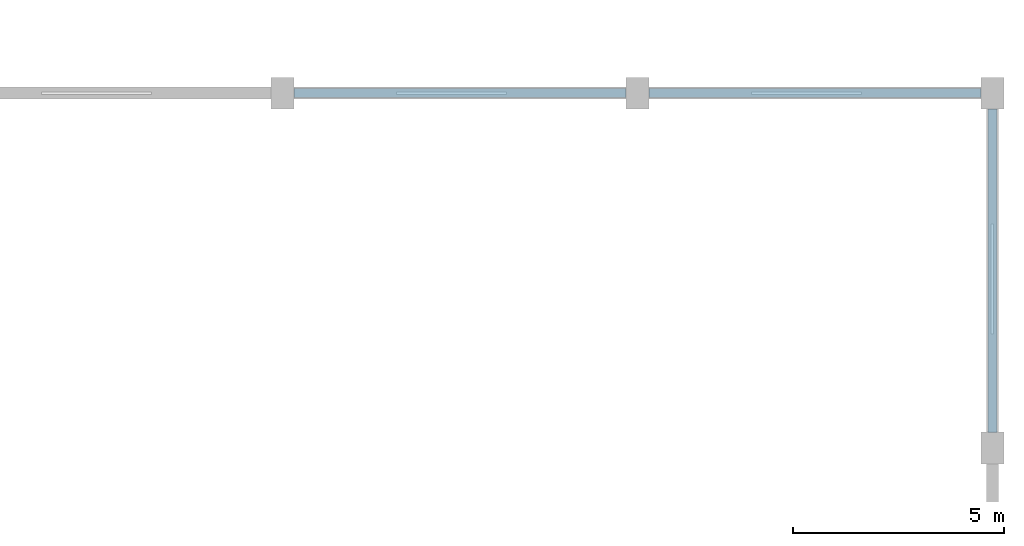
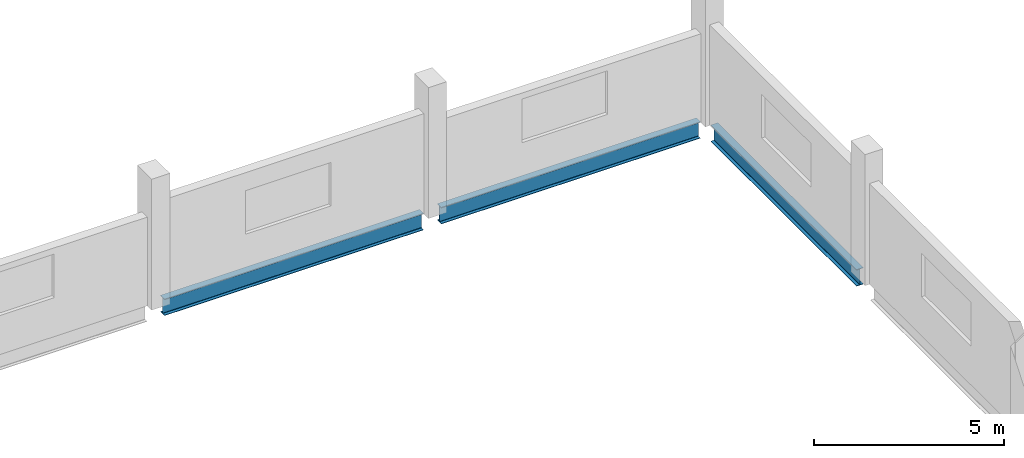
# One storey, part 93 of 130: 3 beams.
"""IFC4 building model written with IfcOpenShell, lengths in metres."""

from ifc_helpers import new_model, si_unit, direction, frame, origin, origin_2d, place, context, subcontext, project, spatial, i_section, extrude, material, material_profile, profile_set, type_object, element, save


model = new_model("IFC4")

# Units and contexts
model_context = context("Model", 3, precision=1e-05, world=origin(), true_north=direction((0.0, 1.0)))
body_context = subcontext(model_context, "Body", "Model", "MODEL_VIEW")
ifc_project = project(units=[si_unit("LENGTHUNIT", "METRE"), si_unit("AREAUNIT", "SQUARE_METRE"), si_unit("VOLUMEUNIT", "CUBIC_METRE"), si_unit("PLANEANGLEUNIT", "RADIAN"), si_unit("MASSUNIT", "GRAM", prefix="KILO")], contexts=[model_context])

# Site, building, storey
site_placement = place(None, origin())
site = spatial("IfcSite", under=ifc_project, at=site_placement, CompositionType="ELEMENT")
building_placement = place(site_placement, origin())
building = spatial("IfcBuilding", under=site, at=building_placement, Name="Vireocrest Preparatory School", CompositionType="ELEMENT")
storey_placement = place(building_placement, frame((0.0, 0.0, 9.0)))
storey = spatial("IfcBuildingStorey", under=building, at=storey_placement, Name="L02", CompositionType="ELEMENT", Elevation=9.0)

# Beams
ifc_material = material(Name="Structural steel ASTM A992 Grade 50", Category="steel")
ifc_material_profile = material_profile(ifc_material, i_section(OverallWidth=0.208984375, OverallDepth=0.532958984375, WebThickness=0.01025390625, FlangeThickness=0.015625, FilletRadius=0.014892578125, at=origin_2d()), Name="W21X62")
ifc_profile_set = profile_set([ifc_material_profile], Name="Structural steel ASTM A992 Grade 50")
beam_type = type_object("IfcBeamType", Name="Court Tie Girder W21X62", PredefinedType="BEAM", material=ifc_profile_set)
beam_1_placement = place(storey_placement, frame((168.0, 44.169921875, -0.2666015625), z_axis=(0.0, 1.0, 0.0), x_axis=(-1.0, 0.0, 0.0)))
element("IfcBeam", 1, at=beam_1_placement, inside=storey, type_object=beam_type, Name="Hall Perimeter Wall Girt SB5 L02-26", PredefinedType="BEAM", context=body_context, shape_type="SweptSolid", body=[
    extrude(i_section(OverallWidth=0.208984375, OverallDepth=0.532958984375, WebThickness=0.01025390625, FlangeThickness=0.015625, FilletRadius=0.014892578125, at=origin_2d()), origin(), (0.0, 0.0, 1.0), 7.66015625),
])
beam_2_placement = place(storey_placement, frame((151.469970703125, 52.199951171875, -0.2666015625), z_axis=(1.0, 0.0, 0.0), x_axis=(0.0, 1.0, 0.0)))
element("IfcBeam", 2, at=beam_2_placement, inside=storey, type_object=beam_type, Name="Hall Perimeter Wall Girt SB5 L02-31", PredefinedType="BEAM", context=body_context, shape_type="SweptSolid", body=[
    extrude(i_section(OverallWidth=0.208984375, OverallDepth=0.532958984375, WebThickness=0.01025390625, FlangeThickness=0.015625, FilletRadius=0.014892578125, at=origin_2d()), origin(), (0.0, 0.0, 1.0), 7.860107421875),
])
beam_3_placement = place(storey_placement, frame((159.8701171875, 52.199951171875, -0.2666015625), z_axis=(1.0, 0.0, 0.0), x_axis=(0.0, 1.0, 0.0)))
element("IfcBeam", 3, at=beam_3_placement, inside=storey, type_object=beam_type, Name="Hall Perimeter Wall Girt SB5 L02-32", PredefinedType="BEAM", context=body_context, shape_type="SweptSolid", body=[
    extrude(i_section(OverallWidth=0.208984375, OverallDepth=0.532958984375, WebThickness=0.01025390625, FlangeThickness=0.015625, FilletRadius=0.014892578125, at=origin_2d()), origin(), (0.0, 0.0, 1.0), 7.85986328125),
])

save(model, "model.ifc")
